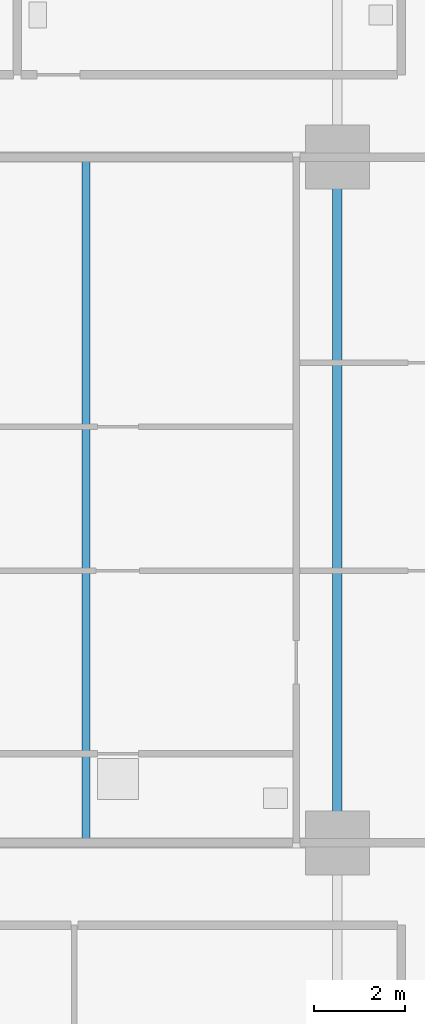
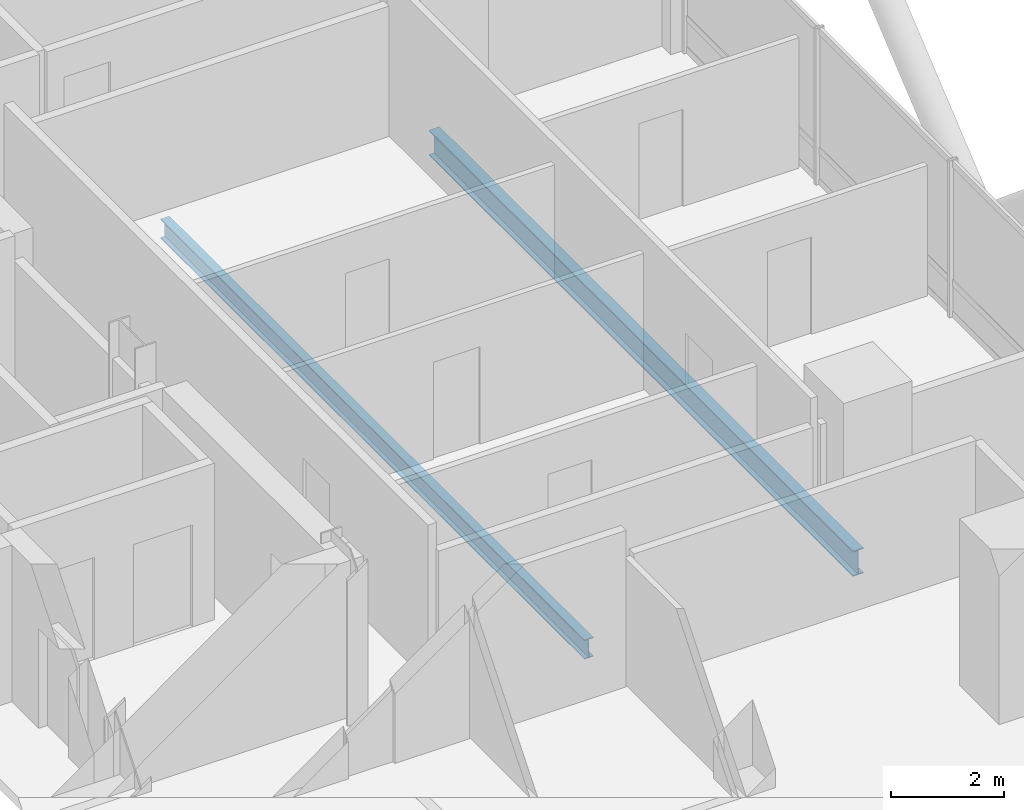
# One storey, part 11 of 27: 2 beams.
"""IFC4 building model written with IfcOpenShell, lengths in metres."""

from ifc_helpers import new_model, si_unit, direction, frame, origin, origin_2d, place, context, subcontext, project, spatial, i_section, extrude, material, material_profile, profile_set, type_object, element, save


model = new_model("IFC4")

# Units and contexts
model_context = context("Model", 3, precision=1e-05, world=origin(), true_north=direction((0.0, 1.0)))
body_context = subcontext(model_context, "Body", "Model", "MODEL_VIEW")
ifc_project = project(units=[si_unit("LENGTHUNIT", "METRE"), si_unit("AREAUNIT", "SQUARE_METRE"), si_unit("VOLUMEUNIT", "CUBIC_METRE"), si_unit("PLANEANGLEUNIT", "RADIAN"), si_unit("MASSUNIT", "GRAM", prefix="KILO")], contexts=[model_context])

# Site, building, storey
site_placement = place(None, origin())
site = spatial("IfcSite", under=ifc_project, at=site_placement, CompositionType="ELEMENT")
building_placement = place(site_placement, origin())
building = spatial("IfcBuilding", under=site, at=building_placement, Name="Barlavira Tower and Art Museum", CompositionType="ELEMENT")
storey_placement = place(building_placement, frame((0.0, 0.0, 50.39990234375)))
storey = spatial("IfcBuildingStorey", under=building, at=storey_placement, Name="L11", CompositionType="ELEMENT", Elevation=50.39990234375)

# Beams
ifc_material = material(Name="Steel S355", Category="steel")
ifc_material_profile_1 = material_profile(ifc_material, i_section(OverallWidth=0.180908203125, OverallDepth=0.4169921875, WebThickness=0.010986328125, FlangeThickness=0.018310546875, at=origin_2d()), Name="W410x85.0")
ifc_profile_set_1 = profile_set([ifc_material_profile_1], Name="Steel S355")
beam_type_1 = type_object("IfcBeamType", Name="Zone 1 Composite Floor Joist W410x85 Steel S355", PredefinedType="JOIST", material=ifc_profile_set_1)
beam_1_placement = place(storey_placement, frame((11.5, -7.5, -0.428466796875), z_axis=(0.0, 1.0, 0.0), x_axis=(-1.0, 0.0, 0.0)))
element("IfcBeam", 1, at=beam_1_placement, inside=storey, type_object=beam_type_1, Name="L11 Joist W2", PredefinedType="JOIST", context=body_context, shape_type="SweptSolid", body=[
    extrude(i_section(OverallWidth=0.180908203125, OverallDepth=0.4169921875, WebThickness=0.010986328125, FlangeThickness=0.018310546875, at=origin_2d()), origin(), (0.0, 0.0, 1.0), 15.0),
])
ifc_material_profile_2 = material_profile(ifc_material, i_section(OverallWidth=0.214111328125, OverallDepth=0.549072265625, WebThickness=0.0146484375, FlangeThickness=0.023681640625, at=origin_2d()), Name="W530x138.0")
ifc_profile_set_2 = profile_set([ifc_material_profile_2], Name="Steel S355")
beam_type_2 = type_object("IfcBeamType", Name="Zone 1 Primary Floor Girder W530x138 Steel S355", PredefinedType="BEAM", material=ifc_profile_set_2)
beam_2_placement = place(storey_placement, frame((17.0, -7.5, -0.494384765625), z_axis=(0.0, 1.0, 0.0), x_axis=(-1.0, 0.0, 0.0)))
element("IfcBeam", 2, at=beam_2_placement, inside=storey, type_object=beam_type_2, Name="L11 Girder M-E2", PredefinedType="BEAM", context=body_context, shape_type="SweptSolid", body=[
    extrude(i_section(OverallWidth=0.214111328125, OverallDepth=0.549072265625, WebThickness=0.0146484375, FlangeThickness=0.023681640625, at=origin_2d()), origin(), (0.0, 0.0, 1.0), 15.0),
])

save(model, "model.ifc")
